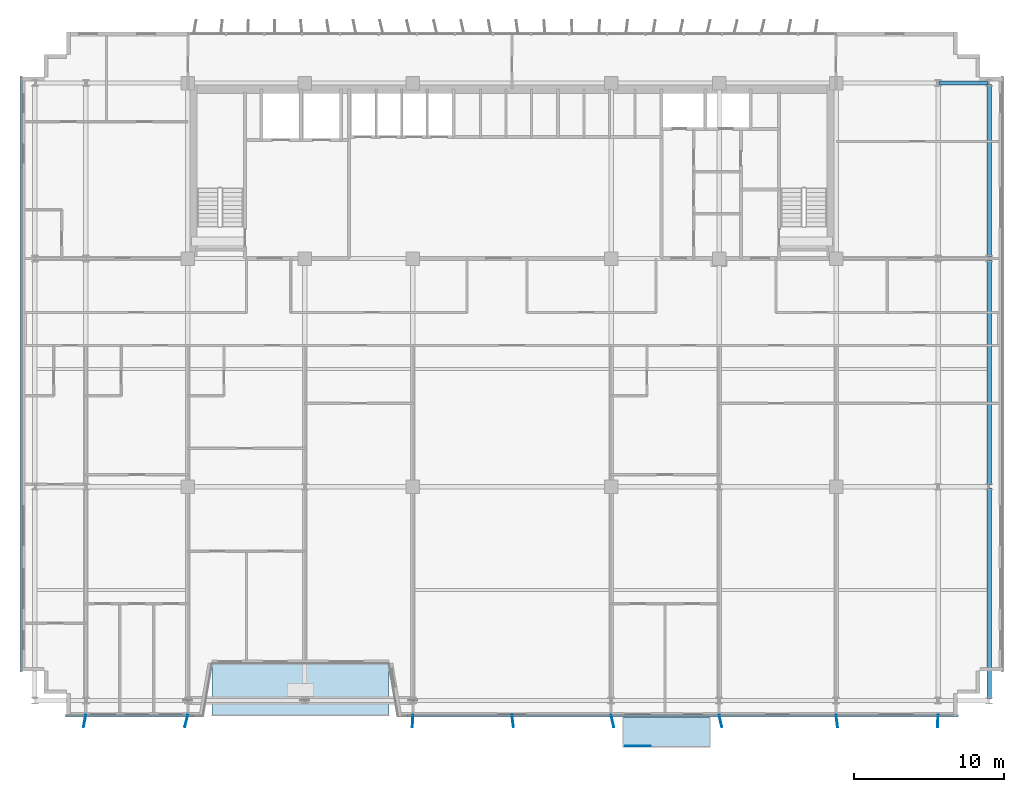
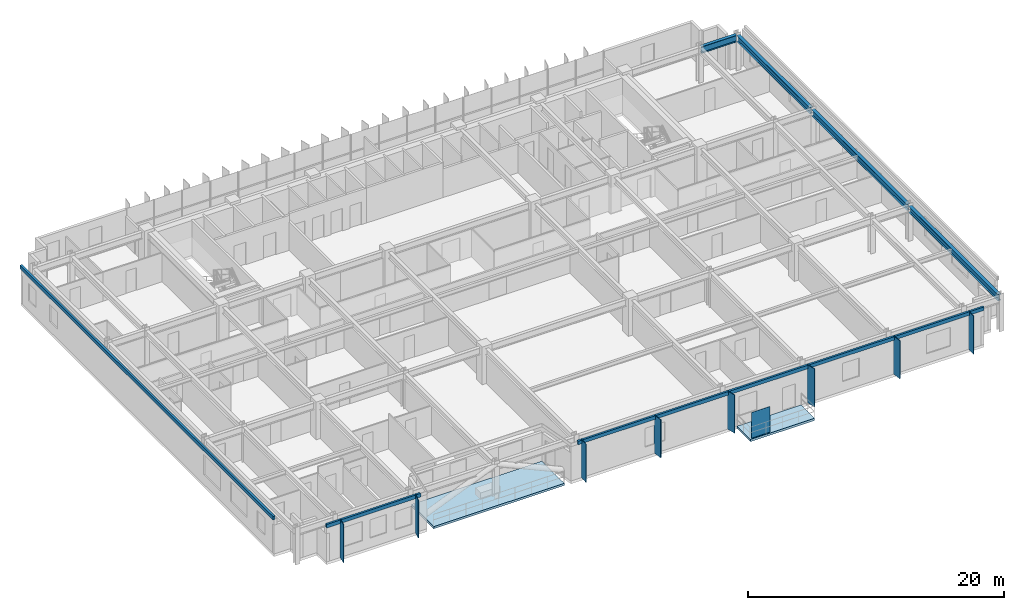
# One storey, part 13 of 23: 12 plates, 4 beams, 2 slabs.
"""IFC4 building model written with IfcOpenShell, lengths in metres."""

from ifc_helpers import new_model, si_unit, direction, frame, origin, origin_2d, place, context, subcontext, project, spatial, polyline, rectangle, i_section, outline, extrude, source, transform, mapped, material, layer, layer_set, material_profile, profile_set, type_object, element, save


model = new_model("IFC4")

# Units and contexts
model_context = context("Model", 3, precision=1e-05, world=origin(), true_north=direction((0.0, 1.0)))
body_context = subcontext(model_context, "Body", "Model", "MODEL_VIEW")
ifc_project = project(units=[si_unit("LENGTHUNIT", "METRE"), si_unit("AREAUNIT", "SQUARE_METRE"), si_unit("VOLUMEUNIT", "CUBIC_METRE"), si_unit("PLANEANGLEUNIT", "RADIAN"), si_unit("MASSUNIT", "GRAM", prefix="KILO")], contexts=[model_context])

# Site, building, storey
site_placement = place(None, origin())
site = spatial("IfcSite", under=ifc_project, at=site_placement, CompositionType="ELEMENT")
building_placement = place(site_placement, origin())
building = spatial("IfcBuilding", under=site, at=building_placement, Name="Trelvane Seafront Commons", CompositionType="ELEMENT")
storey_placement = place(building_placement, frame((0.0, 0.0, 63.10009765625)))
storey = spatial("IfcBuildingStorey", under=building, at=storey_placement, Name="L16", CompositionType="ELEMENT", Elevation=63.10009765625)

# Beams
ifc_material_1 = material(Name="Steel SM355 (S355)", Category="steel")
ifc_material_profile_1 = material_profile(ifc_material_1, i_section(OverallWidth=0.280029296875, OverallDepth=0.64990234375, WebThickness=0.012939453125, FlangeThickness=0.02197265625, at=origin_2d()), Name="H-650x280x13x22")
ifc_profile_set_1 = profile_set([ifc_material_profile_1], Name="Steel SM355 (S355)")
beam_type_1 = type_object("IfcBeamType", Name="STR-BM-H650", PredefinedType="BEAM", material=ifc_profile_set_1)
shared_shape_1 = source(origin(), body_context, "Body", "SweptSolid", [
    extrude(i_section(OverallWidth=0.280029296875, OverallDepth=0.64990234375, WebThickness=0.012939453125, FlangeThickness=0.02197265625, at=origin_2d()), origin(), (0.0, 0.0, 1.0), 3.18994140625),
])
beam_1_placement = place(storey_placement, frame((65.705078125, 45.10009765625, 3.014892578125), z_axis=(1.0, 0.0, 0.0), x_axis=(0.0, 1.0, 0.0)))
element("IfcBeam", 1, at=beam_1_placement, inside=storey, type_object=beam_type_1, Name="L16 Primary Girder G-36", PredefinedType="BEAM", context=body_context, shape_type="MappedRepresentation", body=[
    mapped(shared_shape_1, transform((0.0, 0.0, 0.0), x_axis=(1.0, 0.0, 0.0), y_axis=(0.0, 1.0, 0.0), z_axis=(0.0, 0.0, 1.0), scale=1.0)),
])
ifc_material_profile_2 = material_profile(ifc_material_1, i_section(OverallWidth=0.300048828125, OverallDepth=0.587890625, WebThickness=0.011962890625, FlangeThickness=0.02001953125, at=origin_2d()), Name="H-588x300x12x20")
ifc_profile_set_2 = profile_set([ifc_material_profile_2], Name="Steel SM355 (S355)")
beam_type_2 = type_object("IfcBeamType", Name="STR-BM-H588", PredefinedType="BEAM", material=ifc_profile_set_2)
shared_shape_2 = source(origin(), body_context, "Body", "SweptSolid", [
    extrude(i_section(OverallWidth=0.300048828125, OverallDepth=0.587890625, WebThickness=0.011962890625, FlangeThickness=0.02001953125, at=origin_2d()), origin(), (0.0, 0.0, 1.0), 14.0400390625),
])
beam_2_placement = place(storey_placement, frame((69.0, 4.054931640625, 3.0458984375), z_axis=(0.0, 1.0, 0.0), x_axis=(-1.0, 0.0, 0.0)))
element("IfcBeam", 2, at=beam_2_placement, inside=storey, type_object=beam_type_2, Name="L16 Primary Girder G-64", PredefinedType="BEAM", context=body_context, shape_type="MappedRepresentation", body=[
    mapped(shared_shape_2, transform((0.0, 0.0, 0.0), x_axis=(1.0, 0.0, 0.0), y_axis=(0.0, 1.0, 0.0), z_axis=(0.0, 0.0, 1.0), scale=1.0)),
])
shared_shape_3 = source(origin(), body_context, "Body", "SweptSolid", [
    extrude(i_section(OverallWidth=0.300048828125, OverallDepth=0.587890625, WebThickness=0.011962890625, FlangeThickness=0.02001953125, at=origin_2d()), origin(), (0.0, 0.0, 1.0), 14.989990234375),
])
beam_3_placement = place(storey_placement, frame((69.0, 18.304931640625, 3.0458984375), z_axis=(0.0, 1.0, 0.0), x_axis=(-1.0, 0.0, 0.0)))
element("IfcBeam", 3, at=beam_3_placement, inside=storey, type_object=beam_type_2, Name="L16 Primary Girder G-65", PredefinedType="BEAM", context=body_context, shape_type="MappedRepresentation", body=[
    mapped(shared_shape_3, transform((0.0, 0.0, 0.0), x_axis=(1.0, 0.0, 0.0), y_axis=(0.0, 1.0, 0.0), z_axis=(0.0, 0.0, 1.0), scale=1.0)),
])
shared_shape_4 = source(origin(), body_context, "Body", "SweptSolid", [
    extrude(i_section(OverallWidth=0.300048828125, OverallDepth=0.587890625, WebThickness=0.011962890625, FlangeThickness=0.02001953125, at=origin_2d()), origin(), (0.0, 0.0, 1.0), 11.490234375),
])
beam_4_placement = place(storey_placement, frame((69.0, 33.5048828125, 3.0458984375), z_axis=(0.0, 1.0, 0.0), x_axis=(-1.0, 0.0, 0.0)))
element("IfcBeam", 4, at=beam_4_placement, inside=storey, type_object=beam_type_2, Name="L16 Primary Girder G-66", PredefinedType="BEAM", context=body_context, shape_type="MappedRepresentation", body=[
    mapped(shared_shape_4, transform((0.0, 0.0, 0.0), x_axis=(1.0, 0.0, 0.0), y_axis=(0.0, 1.0, 0.0), z_axis=(0.0, 0.0, 1.0), scale=1.0)),
])

# Slabs
ifc_material_2 = material(Name="Concrete C40/50", Category="concrete")
ifc_layer_1 = layer(ifc_material_2, 0.219970703125, Name="ARCH-BALC-220")
ifc_layer_set_1 = layer_set([ifc_layer_1], Name="Concrete C40/50")
slab_type_1 = type_object("IfcSlabType", Name="ARCH-BALC-220", PredefinedType="FLOOR", material=ifc_layer_set_1)
slab_1_placement = place(storey_placement, frame((0.0, 0.0, -0.22021484375)))
element("IfcSlab", 5, at=slab_1_placement, inside=storey, type_object=slab_type_1, Name="L16 Cantilevered Tree Balcony Loggia 1", PredefinedType="FLOOR", context=body_context, shape_type="SweptSolid", body=[
    extrude(outline(polyline([(44.60009765625, 0.800048828125), (50.39990234375, 0.800048828125), (50.39990234375, 2.89990234375), (44.60009765625, 2.89990234375), (44.60009765625, 0.800048828125)])), origin(), (0.0, 0.0, 1.0), 0.22021484375),
])
ifc_layer_2 = layer(ifc_material_2, 0.2099609375, Name="ARCH-TERR-210")
ifc_layer_set_2 = layer_set([ifc_layer_2], Name="Concrete C40/50")
slab_type_2 = type_object("IfcSlabType", Name="ARCH-TERR-210", PredefinedType="FLOOR", material=ifc_layer_set_2)
slab_2_placement = place(storey_placement, frame((0.0, 0.0, -0.210205078125)))
element("IfcSlab", 6, at=slab_2_placement, inside=storey, type_object=slab_type_2, Name="L16 V-Notched Sky Garden Terrace Slab", PredefinedType="FLOOR", context=body_context, shape_type="SweptSolid", body=[
    extrude(outline(polyline([(17.199951171875, 2.89990234375), (29.0, 2.89990234375), (29.0, 6.39990234375), (17.199951171875, 6.39990234375), (17.199951171875, 2.89990234375)])), origin(), (0.0, 0.0, 1.0), 0.210205078125),
])

# Plates
ifc_material_3 = material(Name="Perforated anodised aluminium screen", Category="aluminium")
ifc_layer_3 = layer(ifc_material_3, 0.01611328125, Name="ARCH-PLATE-SCREEN")
ifc_layer_set_3 = layer_set([ifc_layer_3], Name="Perforated anodised aluminium screen")
plate_type_1 = type_object("IfcPlateType", Name="ARCH-PLATE-SCREEN", PredefinedType="USERDEFINED", material=ifc_layer_set_3)
shared_shape_5 = source(origin(), body_context, "Body", "SweptSolid", [
    extrude(rectangle(XDim=1.681884765625, YDim=0.01611328125, at=origin_2d()), origin(), (0.0, 0.0, 1.0), 2.449951171875),
])
plate_1_placement = place(storey_placement, frame((45.591064453125, 0.919921875, 0.0), z_axis=(0.0, 0.0, 1.0), x_axis=(1.0, 0.0, 0.0)))
element("IfcPlate", 7, at=plate_1_placement, inside=storey, type_object=plate_type_1, Name="SCR-L16-00060", ObjectType="SCREEN", PredefinedType="USERDEFINED", context=body_context, shape_type="MappedRepresentation", body=[
    mapped(shared_shape_5, transform((0.0, 0.0, 0.0), x_axis=(1.0, 0.0, 0.0), y_axis=(0.0, 1.0, 0.0), z_axis=(0.0, 0.0, 1.0), scale=1.0)),
])
ifc_material_4 = material(Name="Anodised pale-silver aluminium", Category="aluminium")
ifc_layer_4 = layer(ifc_material_4, 0.06005859375, Name="ARCH-PLATE-FIN900")
ifc_layer_set_4 = layer_set([ifc_layer_4], Name="Anodised pale-silver aluminium")
plate_type_2 = type_object("IfcPlateType", Name="ARCH-PLATE-FIN900", PredefinedType="USERDEFINED", material=ifc_layer_set_4)
shared_shape_6 = source(origin(), body_context, "Body", "SweptSolid", [
    extrude(rectangle(XDim=0.85009765625, YDim=0.06005859375, at=origin_2d()), origin(), (0.0, 0.0, 1.0), 3.639892578125),
])
for number, where, z_axis, x_axis, name in (
    (8, (8.722412109375, 2.58203125, -0.02001953125), (0.0, 0.0, 1.0), (-0.182477490572, -0.983210031191, 0.0), "FIN-S-L16-00383"),
    (9, (15.497314453125, 2.587646484375, -0.02001953125), (0.0, 0.0, 1.0), (-0.241871090703, -0.970308391947, 0.0), "FIN-S-L16-00384"),
    (10, (30.580078125, 2.575439453125, -0.02001953125), (0.0, 0.0, 1.0), (-0.046703723405, -0.998908785736, 0.0), "FIN-S-L16-00385"),
    (11, (37.250244140625, 2.577880859375, -0.02001953125), (0.0, 0.0, 1.0), (0.118473290088, -0.99295723953, 0.0), "FIN-S-L16-00386"),
    (12, (43.896240234375, 2.586181640625, -0.02001953125), (0.0, 0.0, 1.0), (0.226474513194, -0.974017091674, 0.0), "FIN-S-L16-00387"),
    (13, (51.09716796875, 2.586181640625, -0.02001953125), (0.0, 0.0, 1.0), (0.228587054376, -0.973523476128, 0.0), "FIN-S-L16-00388"),
    (14, (58.852783203125, 2.578369140625, -0.02001953125), (0.0, 0.0, 1.0), (0.124005009918, -0.992281591845, 0.0), "FIN-S-L16-00389"),
    (15, (65.5830078125, 2.575439453125, -0.02001953125), (0.0, 0.0, 1.0), (-0.040353269792, -0.999185475083, 0.0), "FIN-S-L16-00390"),
):
    element("IfcPlate", number, at=place(storey_placement, frame(where, z_axis=z_axis, x_axis=x_axis)), inside=storey, type_object=plate_type_2, Name=name, ObjectType="FIN", PredefinedType="USERDEFINED", context=body_context, shape_type="MappedRepresentation", body=[
        mapped(shared_shape_6, transform((0.0, 0.0, 0.0), x_axis=(1.0, 0.0, 0.0), y_axis=(0.0, 1.0, 0.0), z_axis=(0.0, 0.0, 1.0), scale=1.0)),
    ])
ifc_layer_5 = layer(ifc_material_4, 0.179931640625, Name="ARCH-PLATE-AERO")
ifc_layer_set_5 = layer_set([ifc_layer_5], Name="Anodised pale-silver aluminium")
plate_type_3 = type_object("IfcPlateType", Name="ARCH-PLATE-AERO", PredefinedType="SHEET", material=ifc_layer_set_5)
shared_shape_7 = source(origin(), body_context, "Body", "SweptSolid", [
    extrude(rectangle(XDim=39.60009765625, YDim=0.179931640625, at=origin_2d()), origin(), (0.0, 0.0, 1.0), 0.340087890625),
])
plate_2_placement = place(storey_placement, frame((4.5, 25.699951171875, 3.27978515625), z_axis=(0.0, 0.0, 1.0), x_axis=(0.0, 1.0, 0.0)))
element("IfcPlate", 16, at=plate_2_placement, inside=storey, type_object=plate_type_3, Name="AER-L16-00058", PredefinedType="SHEET", context=body_context, shape_type="MappedRepresentation", body=[
    mapped(shared_shape_7, transform((0.0, 0.0, 0.0), x_axis=(1.0, 0.0, 0.0), y_axis=(0.0, 1.0, 0.0), z_axis=(0.0, 0.0, 1.0), scale=1.0)),
])
shared_shape_8 = source(origin(), body_context, "Body", "SweptSolid", [
    extrude(rectangle(XDim=8.5, YDim=0.179931640625, at=origin_2d()), origin(), (0.0, 0.0, 1.0), 0.340087890625),
])
plate_3_placement = place(storey_placement, frame((11.75, 2.93994140625, 3.27978515625), z_axis=(0.0, 0.0, 1.0), x_axis=(-1.0, 0.0, 0.0)))
element("IfcPlate", 17, at=plate_3_placement, inside=storey, type_object=plate_type_3, Name="AER-S-L16-00061", PredefinedType="SHEET", context=body_context, shape_type="MappedRepresentation", body=[
    mapped(shared_shape_8, transform((0.0, 0.0, 0.0), x_axis=(1.0, 0.0, 0.0), y_axis=(0.0, 1.0, 0.0), z_axis=(0.0, 0.0, 1.0), scale=1.0)),
])
shared_shape_9 = source(origin(), body_context, "Body", "SweptSolid", [
    extrude(rectangle(XDim=36.699951171875, YDim=0.179931640625, at=origin_2d()), origin(), (0.0, 0.0, 1.0), 0.340087890625),
])
plate_4_placement = place(storey_placement, frame((48.550048828125, 2.93994140625, 3.27978515625), z_axis=(0.0, 0.0, 1.0), x_axis=(-1.0, 0.0, 0.0)))
element("IfcPlate", 18, at=plate_4_placement, inside=storey, type_object=plate_type_3, Name="AER-S-L16-00062", PredefinedType="SHEET", context=body_context, shape_type="MappedRepresentation", body=[
    mapped(shared_shape_9, transform((0.0, 0.0, 0.0), x_axis=(1.0, 0.0, 0.0), y_axis=(0.0, 1.0, 0.0), z_axis=(0.0, 0.0, 1.0), scale=1.0)),
])

save(model, "model.ifc")
